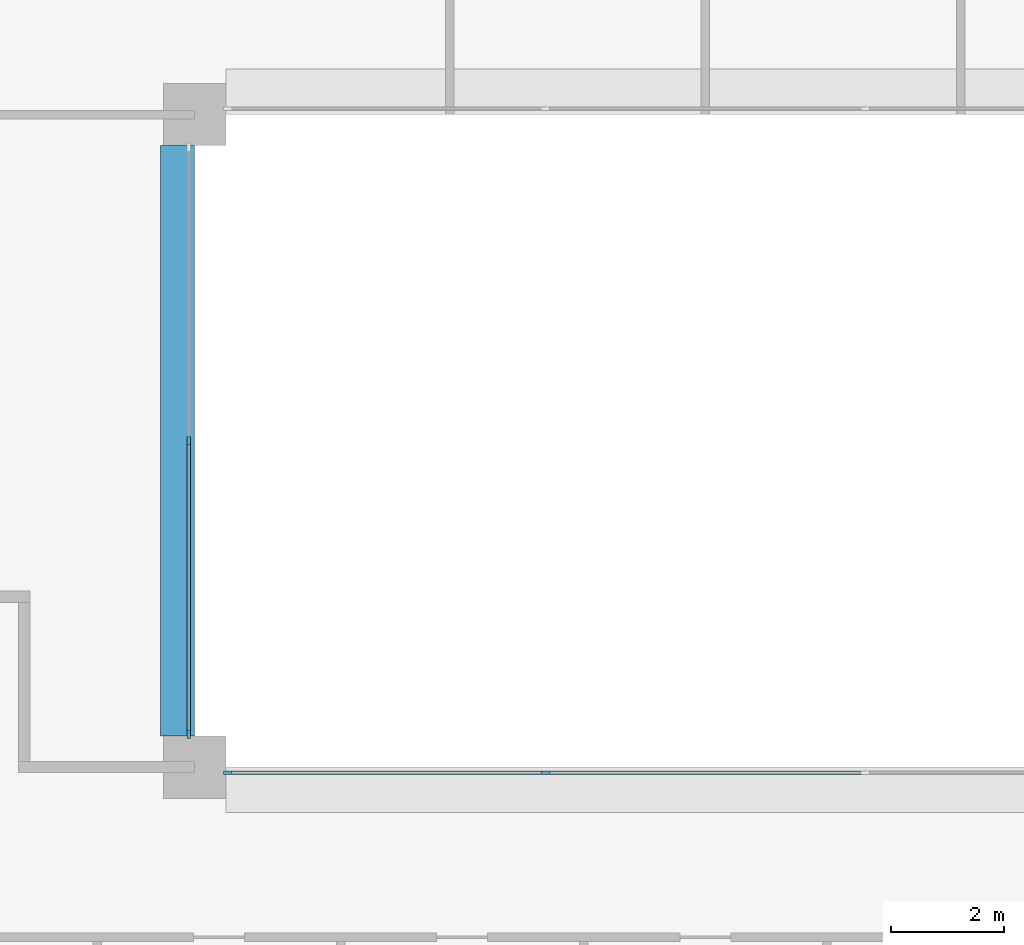
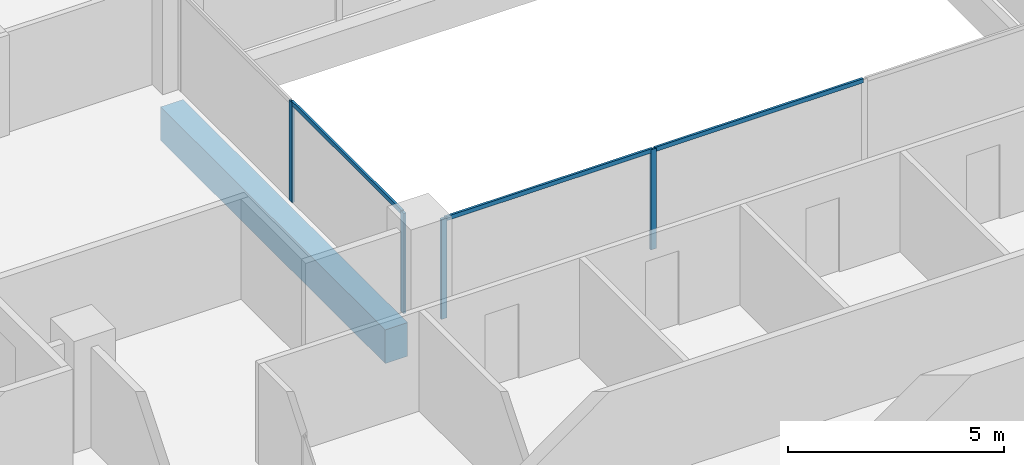
# One storey, part 2 of 15: 7 members, 1 beam, 2 elements without a shape of their own.
"""IFC4 building model written with IfcOpenShell, lengths in metres."""

from ifc_helpers import new_model, si_unit, direction, frame, origin, origin_2d, place, context, subcontext, project, spatial, rectangle, extrude, material, layer, layer_set, material_profile, profile_set, type_object, element, aggregate, save


model = new_model("IFC4")

# Units and contexts
model_context = context("Model", 3, precision=1e-05, world=origin(), true_north=direction((0.0, 1.0)))
body_context = subcontext(model_context, "Body", "Model", "MODEL_VIEW")
ifc_project = project(units=[si_unit("LENGTHUNIT", "METRE"), si_unit("AREAUNIT", "SQUARE_METRE"), si_unit("VOLUMEUNIT", "CUBIC_METRE"), si_unit("PLANEANGLEUNIT", "RADIAN"), si_unit("MASSUNIT", "GRAM", prefix="KILO")], contexts=[model_context])

# Site, building, storey
site_placement = place(None, origin())
site = spatial("IfcSite", under=ifc_project, at=site_placement, CompositionType="ELEMENT")
building_placement = place(site_placement, origin())
building = spatial("IfcBuilding", under=site, at=building_placement, Name="Brigalow Station Residences", CompositionType="ELEMENT")
storey_placement = place(building_placement, frame((0.0, 0.0, 172.800048828125)))
storey = spatial("IfcBuildingStorey", under=building, at=storey_placement, Name="L50", CompositionType="ELEMENT", Elevation=172.800048828125)

# Beam
ifc_material_1 = material(Name="Concrete C65", Category="concrete")
ifc_material_profile_1 = material_profile(ifc_material_1, rectangle(XDim=0.60009765625, YDim=0.949951171875, at=origin_2d()), Name="RC600x950")
ifc_profile_set_1 = profile_set([ifc_material_profile_1], Name="Concrete C65")
beam_type = type_object("IfcBeamType", Name="ATRIUM EDGE GIRDER 600x950 C65", PredefinedType="BEAM", material=ifc_profile_set_1)
beam_placement = place(storey_placement, frame((26.699951171875, 24.550048828125, -0.795166015625), z_axis=(0.0, 1.0, 0.0), x_axis=(-1.0, 0.0, 0.0)))
element("IfcBeam", 1, at=beam_placement, inside=storey, type_object=beam_type, Name="ATRIUM EDGE GIRDER 3 L50", PredefinedType="BEAM", context=body_context, shape_type="SweptSolid", body=[
    extrude(rectangle(XDim=0.60009765625, YDim=0.949951171875, at=origin_2d()), origin(), (0.0, 0.0, 1.0), 10.39990234375),
])

# Curtain wall, members
ifc_material_2 = material(Name="Aluminium", Category="aluminium")
ifc_layer = layer(ifc_material_2, 0.14990234375)
ifc_layer_set = layer_set([ifc_layer], Name="ATRIUM FIRE-RATED GLAZING CURTAIN WALL")
curtain_wall_type = type_object("IfcCurtainWallType", Name="ATRIUM FIRE-RATED GLAZING CURTAIN WALL", PredefinedType="NOTDEFINED", material=ifc_layer_set)
curtain_wall_1_placement = place(storey_placement, origin())
curtain_wall_1 = element("IfcCurtainWall", 2, at=curtain_wall_1_placement, inside=storey, type_object=curtain_wall_type, Name="L50/cw/atrium-S", PredefinedType="NOTDEFINED")
ifc_material_3 = material(Name="Aluminium", Category="aluminium")
ifc_material_profile_2 = material_profile(ifc_material_3, rectangle(XDim=0.06005859375, YDim=0.14990234375, at=origin_2d()), Name="ATRIUM FIRE-RATED GLAZING MULLION 60x150")
ifc_profile_set_2 = profile_set([ifc_material_profile_2], Name="Aluminium")
member_type_1 = type_object("IfcMemberType", Name="ATRIUM FIRE-RATED GLAZING MULLION 60x150", PredefinedType="MULLION", material=ifc_profile_set_2)
member_1_placement = place(storey_placement, frame((27.580078125, 23.89990234375, 0.0), z_axis=(0.0, 0.0, 1.0), x_axis=(0.0, 1.0, 0.0)))
member_1 = element("IfcMember", 3, at=member_1_placement, type_object=member_type_1, Name="L50/cw/atrium-S/M00", PredefinedType="MULLION", context=body_context, shape_type="SweptSolid", body=[
    extrude(rectangle(XDim=0.06005859375, YDim=0.14990234375, at=origin_2d()), origin(), (0.0, 0.0, 1.0), 2.829833984375),
])
member_2_placement = place(storey_placement, frame((33.183349609375, 23.89990234375, 0.0), z_axis=(0.0, 0.0, 1.0), x_axis=(0.0, 1.0, 0.0)))
member_2 = element("IfcMember", 4, at=member_2_placement, type_object=member_type_1, Name="L50/cw/atrium-S/M01", PredefinedType="MULLION", context=body_context, shape_type="SweptSolid", body=[
    extrude(rectangle(XDim=0.06005859375, YDim=0.14990234375, at=origin_2d()), origin(), (0.0, 0.0, 1.0), 2.829833984375),
])

curtain_wall_2_placement = place(storey_placement, origin())
curtain_wall_2 = element("IfcCurtainWall", 5, at=curtain_wall_2_placement, inside=storey, type_object=curtain_wall_type, Name="L50/cw/atrium-W", PredefinedType="NOTDEFINED")
member_3_placement = place(storey_placement, frame((26.89990234375, 29.75, 0.0), z_axis=(0.0, 0.0, 1.0), x_axis=(1.0, 0.0, 0.0)))
member_3 = element("IfcMember", 6, at=member_3_placement, type_object=member_type_1, Name="L50/cw/atrium-W/M01", PredefinedType="MULLION", context=body_context, shape_type="SweptSolid", body=[
    extrude(rectangle(XDim=0.06005859375, YDim=0.14990234375, at=origin_2d()), origin(), (0.0, 0.0, 1.0), 2.829833984375),
])
member_4_placement = place(storey_placement, frame((26.89990234375, 24.580078125, 0.0), z_axis=(0.0, 0.0, 1.0), x_axis=(1.0, 0.0, 0.0)))
member_4 = element("IfcMember", 7, at=member_4_placement, type_object=member_type_1, Name="L50/cw/atrium-W/M02", PredefinedType="MULLION", context=body_context, shape_type="SweptSolid", body=[
    extrude(rectangle(XDim=0.06005859375, YDim=0.14990234375, at=origin_2d()), origin(), (0.0, 0.0, 1.0), 2.829833984375),
])

# Member
ifc_material_4 = material(Name="Aluminium", Category="aluminium")
ifc_material_profile_3 = material_profile(ifc_material_4, rectangle(XDim=0.06005859375, YDim=0.1201171875, at=origin_2d()), Name="ATRIUM FIRE-RATED GLAZING TRANSOM 60x120")
ifc_profile_set_3 = profile_set([ifc_material_profile_3], Name="Aluminium")
member_type_2 = type_object("IfcMemberType", Name="ATRIUM FIRE-RATED GLAZING TRANSOM 60x120", PredefinedType="USERDEFINED", material=ifc_profile_set_3)
member_5_placement = place(storey_placement, frame((27.610107421875, 23.89990234375, 2.800048828125), z_axis=(1.0, 0.0, 0.0), x_axis=(0.0, 1.0, 0.0)))
member_5 = element("IfcMember", 8, at=member_5_placement, type_object=member_type_2, Name="L50/cw/atrium-S/T00-00", ObjectType="TRANSOM", PredefinedType="USERDEFINED", context=body_context, shape_type="SweptSolid", body=[
    extrude(rectangle(XDim=0.06005859375, YDim=0.1201171875, at=origin_2d()), origin(), (0.0, 0.0, 1.0), 5.543212890625),
])

member_6_placement = place(storey_placement, frame((33.21337890625, 23.89990234375, 2.800048828125), z_axis=(1.0, 0.0, 0.0), x_axis=(0.0, 1.0, 0.0)))
member_6 = element("IfcMember", 9, at=member_6_placement, type_object=member_type_2, Name="L50/cw/atrium-S/T01-00", ObjectType="TRANSOM", PredefinedType="USERDEFINED", context=body_context, shape_type="SweptSolid", body=[
    extrude(rectangle(XDim=0.06005859375, YDim=0.1201171875, at=origin_2d()), origin(), (0.0, 0.0, 1.0), 5.5732421875),
])

aggregate(curtain_wall_1, [member_1, member_2, member_5, member_6])

member_7_placement = place(storey_placement, frame((26.89990234375, 29.719970703125, 2.800048828125), z_axis=(0.0, -1.0, 0.0), x_axis=(1.0, 0.0, 0.0)))
member_7 = element("IfcMember", 10, at=member_7_placement, type_object=member_type_2, Name="L50/cw/atrium-W/T01-00", ObjectType="TRANSOM", PredefinedType="USERDEFINED", context=body_context, shape_type="SweptSolid", body=[
    extrude(rectangle(XDim=0.06005859375, YDim=0.1201171875, at=origin_2d()), origin(), (0.0, 0.0, 1.0), 5.10986328125),
])

aggregate(curtain_wall_2, [member_3, member_4, member_7])

save(model, "model.ifc")
